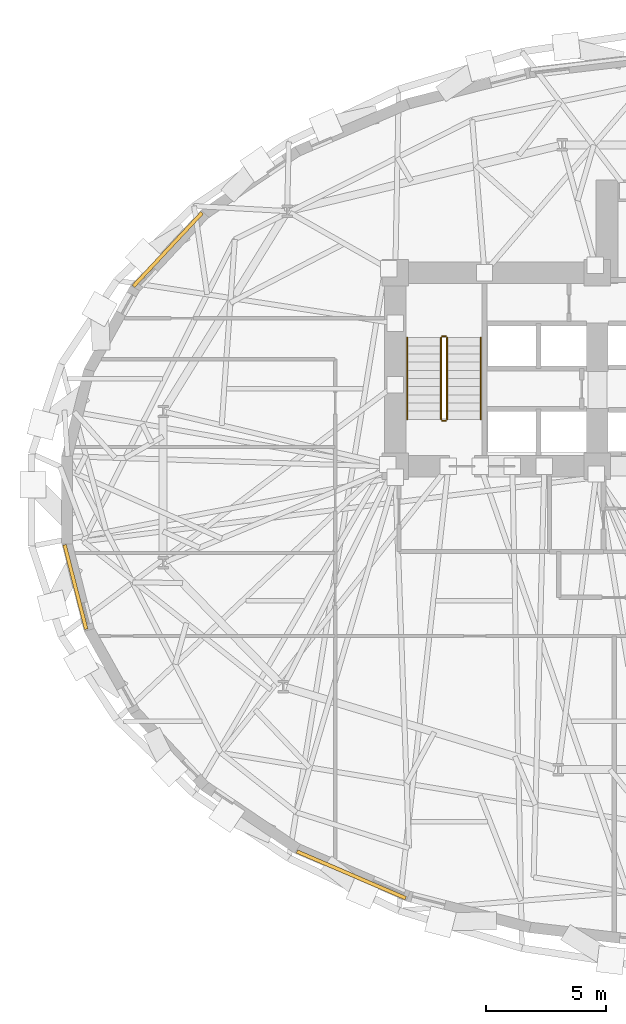
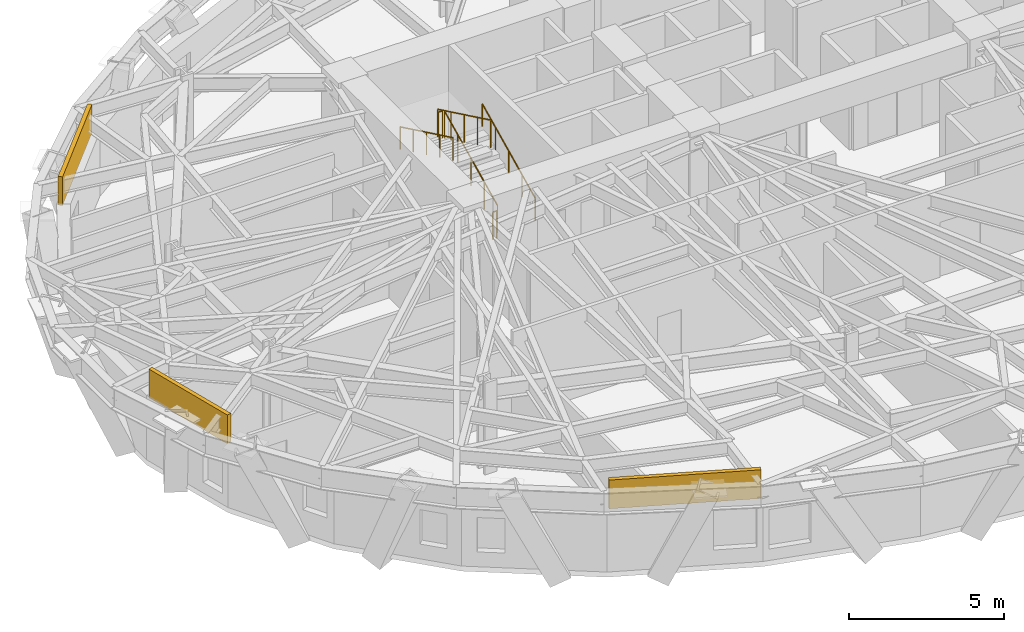
# One storey, part 11 of 14: 6 railings, 3 coverings.
"""IFC4 building model written with IfcOpenShell, lengths in metres."""

import ifcopenshell
import ifcopenshell.guid

model = None  # the IFC model being written
_history = None  # IfcOwnerHistory: only IFC2X3 demands one
_inside = {}  # id of a spatial element -> (the spatial element, [elements in it])
_under = {}  # id of a project, library or spatial element -> (it, [spatial elements below it])
_declared = {}  # id of a project -> (the project, [libraries it declares])
_typed = {}  # id of a type object -> (the type object, [elements of that type])
_made_of = {}  # id of a material, layer set ... -> (it, [elements and type objects made of it])


def new_model(schema):
    """Start an empty IFC model of exactly this schema.

    Asked for "IFC4X3", IfcOpenShell would pick the latest addendum, in which some entities
    have other attributes; the version numbers below select the first issue.
    IFC2X3 requires an IfcOwnerHistory on every rooted entity: one is made here for all.
    """
    global model, _history
    if schema == "IFC4X3":
        model = ifcopenshell.file(schema_version=(4, 3, 0, 0))
    else:
        model = ifcopenshell.file(schema=schema)
    _inside.clear()
    _under.clear()
    _declared.clear()
    _typed.clear()
    _made_of.clear()
    _history = None
    if model.schema == "IFC2X3":
        org = make("IfcOrganization", Name="unknown")
        user = make(
            "IfcPersonAndOrganization",
            ThePerson=make("IfcPerson", FamilyName="unknown"),
            TheOrganization=org,
        )
        app = make(
            "IfcApplication",
            ApplicationDeveloper=org,
            Version="unknown",
            ApplicationFullName="unknown",
            ApplicationIdentifier="unknown",
        )
        _history = make(
            "IfcOwnerHistory",
            OwningUser=user,
            OwningApplication=app,
            ChangeAction="ADDED",
            CreationDate=0,
        )
    return model


def make(cls, **values):
    """One entity of the class cls with the attributes given. An attribute that is None is left unset."""
    return model.create_entity(
        cls, **{name: value for name, value in values.items() if value is not None}
    )


def rooted(cls, **values):
    """An entity with a GlobalId (a new one), such as an element, a storey or a relation."""
    return make(cls, GlobalId=ifcopenshell.guid.new(), OwnerHistory=_history, **values)


def si_unit(unit_type, name, prefix=None):
    """IfcSIUnit, for example si_unit("LENGTHUNIT", "METRE", prefix="MILLI")."""
    return make("IfcSIUnit", UnitType=unit_type, Prefix=prefix, Name=name)


def assignment(units):
    """IfcUnitAssignment: the units of a project."""
    return None if units is None else make("IfcUnitAssignment", Units=units)


def point(xyz):
    """IfcCartesianPoint."""
    return None if xyz is None else make("IfcCartesianPoint", Coordinates=xyz)


def direction(xyz):
    """IfcDirection."""
    return None if xyz is None else make("IfcDirection", DirectionRatios=xyz)


def frame(location, z_axis=None, x_axis=None):
    """IfcAxis2Placement3D, a coordinate frame: its origin and axes. An axis left out is left unset."""
    return make(
        "IfcAxis2Placement3D",
        Location=point(location),
        Axis=direction(z_axis),
        RefDirection=direction(x_axis),
    )


def frame_2d(location, x_axis=None):
    """IfcAxis2Placement2D, a coordinate frame in the plane: its origin and x axis."""
    return make(
        "IfcAxis2Placement2D", Location=point(location), RefDirection=direction(x_axis)
    )


def origin():
    """The frame at (0, 0, 0) with its axes left unset."""
    return frame((0.0, 0.0, 0.0))


def origin_2d():
    """The frame at (0, 0) in the plane with its x axis left unset."""
    return frame_2d((0.0, 0.0))


def place(relative_to, where):
    """IfcLocalPlacement: puts the frame where relative to a parent placement (None: the world)."""
    return make(
        "IfcLocalPlacement", PlacementRelTo=relative_to, RelativePlacement=where
    )


def context(
    kind, dimensions, precision=None, world=None, true_north=None, identifier=None
):
    """IfcGeometricRepresentationContext, for example the 3D "Model" context."""
    return make(
        "IfcGeometricRepresentationContext",
        ContextIdentifier=identifier,
        ContextType=kind,
        CoordinateSpaceDimension=dimensions,
        Precision=precision,
        WorldCoordinateSystem=world,
        TrueNorth=true_north,
    )


def subcontext(parent, identifier, kind, view, scale=None):
    """IfcGeometricRepresentationSubContext, for example "Body" below "Model"."""
    return make(
        "IfcGeometricRepresentationSubContext",
        ContextIdentifier=identifier,
        ContextType=kind,
        ParentContext=parent,
        TargetScale=scale,
        TargetView=view,
    )


def project(units=None, contexts=None):
    """IfcProject with its units and contexts."""
    return rooted(
        "IfcProject",
        Name="project",
        RepresentationContexts=contexts,
        UnitsInContext=assignment(units),
    )


def spatial(cls, under=None, at=None, **own):
    """A site, building, storey or space (cls), placed at a placement, below another one or the project."""
    s = rooted(cls, ObjectPlacement=at, **own)
    if under is not None:
        _under.setdefault(under.id(), (under, []))[1].append(s)
    return s


def profile(cls, at=None, kind="AREA", **sizes):
    """A parametric profile (cls). Its sizes go by their IFC names, for example OverallWidth=200.0."""
    return make(cls, ProfileType=kind, Position=at, **sizes)


def rectangle(**sizes):
    """IfcRectangleProfileDef."""
    return profile("IfcRectangleProfileDef", **sizes)


def circle(**sizes):
    """IfcCircleProfileDef."""
    return profile("IfcCircleProfileDef", **sizes)


def extrude(swept, where, along, depth):
    """IfcExtrudedAreaSolid: the profile swept, set in the frame where, extruded along a direction by depth."""
    return make(
        "IfcExtrudedAreaSolid",
        SweptArea=swept,
        Position=where,
        ExtrudedDirection=direction(along),
        Depth=depth,
    )


def shape(context_of_items, identifier, shape_type, items):
    """IfcShapeRepresentation: the items that make up one representation, for example the "Body"."""
    return make(
        "IfcShapeRepresentation",
        ContextOfItems=context_of_items,
        RepresentationIdentifier=identifier,
        RepresentationType=shape_type,
        Items=items,
    )


def material(Name=None, Category=None):
    """IfcMaterial."""
    return make("IfcMaterial", Name=Name, Category=Category)


def layer(
    of_material, thickness, ventilated=None, Name=None, Category=None, Priority=None
):
    """IfcMaterialLayer: one layer of a wall or slab, of a material (None: an air gap)."""
    return make(
        "IfcMaterialLayer",
        Material=of_material,
        LayerThickness=thickness,
        IsVentilated=ventilated,
        Name=Name,
        Category=Category,
        Priority=Priority,
    )


def layer_set(layers, Name=None):
    """IfcMaterialLayerSet."""
    return make("IfcMaterialLayerSet", MaterialLayers=layers, LayerSetName=Name)


def made_of(thing, what):
    """Note that an element or type object is made of a material, layer set ...; save() writes the relation."""
    if what is not None:
        _made_of.setdefault(what.id(), (what, []))[1].append(thing)
    return thing


def type_object(cls, material=None, **own):
    """A type object (cls), such as IfcWallType, which elements share."""
    return made_of(rooted(cls, **own), material)


def element(
    cls,
    number,
    at=None,
    inside=None,
    cuts=None,
    type_object=None,
    material=None,
    context=None,
    identifier="Body",
    shape_type=None,
    held_by="IfcProductDefinitionShape",
    body=None,
    shapes=None,
    **own,
):
    """One element of the class cls, such as IfcWall. Its Tag is "e" and its number.

    at: its placement. inside: the storey or other place that contains it. cuts: it is an
    opening in that element (IfcRelVoidsElement). A single representation is given by context,
    identifier, shape_type and body (its items); several are given by shapes. held_by: the class
    of the entity that holds the representations. save() writes the other relations.
    """
    e = rooted(cls, Tag="e%d" % number, ObjectPlacement=at, **own)
    if body is not None:
        shapes = [shape(context, identifier, shape_type, body)]
    if shapes is not None:
        e.Representation = make(held_by, Representations=shapes)
    if inside is not None:
        _inside.setdefault(inside.id(), (inside, []))[1].append(e)
    if cuts is not None:
        rooted(
            "IfcRelVoidsElement", RelatingBuildingElement=cuts, RelatedOpeningElement=e
        )
    if type_object is not None:
        _typed.setdefault(type_object.id(), (type_object, []))[1].append(e)
    return made_of(e, material)


def aggregate(whole, parts):
    """IfcRelAggregates: a whole, such as a stair, and the parts it consists of."""
    return rooted("IfcRelAggregates", RelatingObject=whole, RelatedObjects=parts)


def save(model, path):
    """Write the relations noted so far, then the file.

    IfcRelAggregates (storeys below a building ...), IfcRelContainedInSpatialStructure (elements
    in a storey), IfcRelDefinesByType, IfcRelAssociatesMaterial and IfcRelDeclares: one each for
    every whole, place, type object, material and project.
    """
    for whole, parts in _under.values():
        aggregate(whole, parts)
    for where, things in _inside.values():
        rooted(
            "IfcRelContainedInSpatialStructure",
            RelatedElements=things,
            RelatingStructure=where,
        )
    for kind, things in _typed.values():
        rooted("IfcRelDefinesByType", RelatedObjects=things, RelatingType=kind)
    for what, things in _made_of.values():
        rooted("IfcRelAssociatesMaterial", RelatedObjects=things, RelatingMaterial=what)
    for by, libraries in _declared.values():
        rooted("IfcRelDeclares", RelatingContext=by, RelatedDefinitions=libraries)
    model.write(path)


model = new_model("IFC4")

# Units and contexts
model_context = context("Model", 3, precision=1e-05, world=origin(), true_north=direction((0.0, 1.0)))
body_context = subcontext(model_context, "Body", "Model", "MODEL_VIEW")
ifc_project = project(units=[si_unit("LENGTHUNIT", "METRE"), si_unit("AREAUNIT", "SQUARE_METRE"), si_unit("VOLUMEUNIT", "CUBIC_METRE"), si_unit("PLANEANGLEUNIT", "RADIAN"), si_unit("MASSUNIT", "GRAM", prefix="KILO")], contexts=[model_context])

# Site, building, storey
site_placement = place(None, origin())
site = spatial("IfcSite", under=ifc_project, at=site_placement, CompositionType="ELEMENT")
building_placement = place(site_placement, origin())
building = spatial("IfcBuilding", under=site, at=building_placement, Name="Keldmark Tower", CompositionType="ELEMENT")
storey_placement = place(building_placement, frame((0.0, 0.0, 52.199951171875)))
storey = spatial("IfcBuildingStorey", under=building, at=storey_placement, Name="L13", CompositionType="ELEMENT", Elevation=52.199951171875)

# Coverings
ifc_material_1 = material(Name="Honed Kasota Buff Dolomitic Limestone", Category="masonry")
ifc_layer = layer(ifc_material_1, 0.074951171875)
ifc_layer_set = layer_set([ifc_layer], Name="Honed Kasota Buff Dolomitic Limestone")
covering_type = type_object("IfcCoveringType", Name="Kasota Buff Limestone Spandrel Cladding Band", PredefinedType="CLADDING", material=ifc_layer_set)
covering_1_placement = place(storey_placement, frame((-23.060302734375, 10.407470703125, 2.453125), z_axis=(0.0, 0.0, 1.0), x_axis=(-0.683006109341, -0.730412660489, 0.0)))
element("IfcCovering", 1, at=covering_1_placement, inside=storey, type_object=covering_type, Name="L13 Kasota Limestone Spandrel Band 13", PredefinedType="CLADDING", context=body_context, shape_type="SweptSolid", body=[
    extrude(rectangle(XDim=4.177978515625, YDim=0.14990234375, at=origin_2d()), origin(), (0.0, 0.0, 1.0), 1.126953125),
])
covering_2_placement = place(storey_placement, frame((-26.8955078125, -3.61669921875, 2.453125), z_axis=(0.0, 0.0, 1.0), x_axis=(0.248098167018, -0.96873489641, 0.0)))
element("IfcCovering", 2, at=covering_2_placement, inside=storey, type_object=covering_type, Name="L13 Kasota Limestone Spandrel Band 17", PredefinedType="CLADDING", context=body_context, shape_type="SweptSolid", body=[
    extrude(rectangle(XDim=3.618896484375, YDim=0.14990234375, at=origin_2d()), origin(), (0.0, 0.0, 1.0), 1.126953125),
])
covering_3_placement = place(storey_placement, frame((-15.426513671875, -15.5791015625, 2.453125), z_axis=(0.0, 0.0, 1.0), x_axis=(0.91888763684, -0.394519341558, 0.0)))
element("IfcCovering", 3, at=covering_3_placement, inside=storey, type_object=covering_type, Name="L13 Kasota Limestone Spandrel Band 21", PredefinedType="CLADDING", context=body_context, shape_type="SweptSolid", body=[
    extrude(rectangle(XDim=4.922119140625, YDim=0.14990234375, at=origin_2d()), origin(), (0.0, 0.0, 1.0), 1.126953125),
])

# Railings
ifc_material_2 = material(Name="Painted Steel ASTM A500 Grade B", Category="steel")
railing_type_1 = type_object("IfcRailingType", Name="Painted Steel Stair Well Guard 1100 mm", PredefinedType="GUARDRAIL", material=ifc_material_2)
railing_1_placement = place(storey_placement, frame((-11.449951171875, 3.35009765625, 0.16357421875)))
element("IfcRailing", 4, at=railing_1_placement, inside=storey, type_object=railing_type_1, Name="L13 ST1 stair guard 1", PredefinedType="GUARDRAIL", context=body_context, shape_type="SweptSolid", body=[
    extrude(circle(Radius=0.02392578125, at=origin_2d()), frame((0.0, 0.0, 1.076171875), z_axis=(0.0, 0.901055053782, 0.433704726806), x_axis=(-1.0, 0.0, 0.0)), (0.0, 0.0, 1.0), 3.773193359375),
    extrude(circle(Radius=0.02099609375, at=origin_2d()), origin(), (0.0, 0.0, 1.0), 1.052001953125),
    extrude(circle(Radius=0.02099609375, at=origin_2d()), frame((0.0, 0.85009765625, 0.4091796875)), (0.0, 0.0, 1.0), 1.052001953125),
    extrude(circle(Radius=0.02099609375, at=origin_2d()), frame((0.0, 1.699951171875, 0.818359375)), (0.0, 0.0, 1.0), 1.052001953125),
    extrude(circle(Radius=0.02099609375, at=origin_2d()), frame((0.0, 2.5498046875, 1.227294921875)), (0.0, 0.0, 1.0), 1.052001953125),
    extrude(circle(Radius=0.02099609375, at=origin_2d()), frame((0.0, 3.39990234375, 1.636474609375)), (0.0, 0.0, 1.0), 1.052001953125),
])
railing_2_placement = place(storey_placement, frame((-11.5, 6.800048828125, 1.800048828125)))
element("IfcRailing", 5, at=railing_2_placement, inside=storey, type_object=railing_type_1, Name="L13 ST1 stair guard 2", PredefinedType="GUARDRAIL", context=body_context, shape_type="SweptSolid", body=[
    extrude(circle(Radius=0.02392578125, at=origin_2d()), frame((0.0, 0.0, 1.076171875), z_axis=(-1.0, 0.0, 0.0), x_axis=(0.0, -1.0, 0.0)), (0.0, 0.0, 1.0), 0.14990234375),
    extrude(circle(Radius=0.02099609375, at=origin_2d()), origin(), (0.0, 0.0, 1.0), 1.052001953125),
    extrude(circle(Radius=0.02099609375, at=origin_2d()), frame((-0.14990234375, 0.0, 0.0)), (0.0, 0.0, 1.0), 1.052001953125),
])
railing_3_placement = place(storey_placement, frame((-11.699951171875, 6.75, 1.963623046875)))
element("IfcRailing", 6, at=railing_3_placement, inside=storey, type_object=railing_type_1, Name="L13 ST1 stair guard 3", PredefinedType="GUARDRAIL", context=body_context, shape_type="SweptSolid", body=[
    extrude(circle(Radius=0.02392578125, at=origin_2d()), frame((0.0, 0.0, 1.076171875), z_axis=(0.0, -0.901055053782, 0.433704726806), x_axis=(1.0, 0.0, 0.0)), (0.0, 0.0, 1.0), 3.773193359375),
    extrude(circle(Radius=0.02099609375, at=origin_2d()), origin(), (0.0, 0.0, 1.0), 1.052001953125),
    extrude(circle(Radius=0.02099609375, at=origin_2d()), frame((0.0, -0.85009765625, 0.4091796875)), (0.0, 0.0, 1.0), 1.052001953125),
    extrude(circle(Radius=0.02099609375, at=origin_2d()), frame((0.0, -1.699951171875, 0.818359375)), (0.0, 0.0, 1.0), 1.052001953125),
    extrude(circle(Radius=0.02099609375, at=origin_2d()), frame((0.0, -2.5498046875, 1.227294921875)), (0.0, 0.0, 1.0), 1.052001953125),
    extrude(circle(Radius=0.02099609375, at=origin_2d()), frame((0.0, -3.39990234375, 1.636474609375)), (0.0, 0.0, 1.0), 1.052001953125),
])
railing_4_placement = place(storey_placement, frame((-11.5, 3.300048828125, 0.0)))
element("IfcRailing", 7, at=railing_4_placement, inside=storey, type_object=railing_type_1, Name="L13 ST1 stair guard 4", PredefinedType="GUARDRAIL", context=body_context, shape_type="SweptSolid", body=[
    extrude(circle(Radius=0.02392578125, at=origin_2d()), frame((0.0, 0.0, 1.076171875), z_axis=(-1.0, 0.0, 0.0), x_axis=(0.0, -1.0, 0.0)), (0.0, 0.0, 1.0), 0.14990234375),
    extrude(circle(Radius=0.02099609375, at=origin_2d()), origin(), (0.0, 0.0, 1.0), 1.052001953125),
    extrude(circle(Radius=0.02099609375, at=origin_2d()), frame((-0.14990234375, 0.0, 0.0)), (0.0, 0.0, 1.0), 1.052001953125),
])
ifc_material_3 = material(Name="Stainless Steel AISI 316L", Category="steel")
railing_type_2 = type_object("IfcRailingType", Name="Stainless Steel Stair Handrail 900 mm", PredefinedType="HANDRAIL", material=ifc_material_3)
railing_5_placement = place(storey_placement, frame((-10.050048828125, 3.35009765625, 0.16357421875)))
element("IfcRailing", 8, at=railing_5_placement, inside=storey, type_object=railing_type_2, Name="L13 ST1 stair handrail 1", PredefinedType="HANDRAIL", context=body_context, shape_type="SweptSolid", body=[
    extrude(circle(Radius=0.02392578125, at=origin_2d()), frame((0.0, 0.0, 0.8759765625), z_axis=(0.0, 0.901055053782, 0.433704726806), x_axis=(-1.0, 0.0, 0.0)), (0.0, 0.0, 1.0), 3.773193359375),
    extrude(circle(Radius=0.02099609375, at=origin_2d()), origin(), (0.0, 0.0, 1.0), 0.851806640625),
    extrude(circle(Radius=0.02099609375, at=origin_2d()), frame((0.0, 0.85009765625, 0.4091796875)), (0.0, 0.0, 1.0), 0.851806640625),
    extrude(circle(Radius=0.02099609375, at=origin_2d()), frame((0.0, 1.699951171875, 0.818359375)), (0.0, 0.0, 1.0), 0.851806640625),
    extrude(circle(Radius=0.02099609375, at=origin_2d()), frame((0.0, 2.5498046875, 1.227294921875)), (0.0, 0.0, 1.0), 0.851806640625),
    extrude(circle(Radius=0.02099609375, at=origin_2d()), frame((0.0, 3.39990234375, 1.636474609375)), (0.0, 0.0, 1.0), 0.851806640625),
])
railing_6_placement = place(storey_placement, frame((-13.10009765625, 6.75, 1.963623046875)))
element("IfcRailing", 9, at=railing_6_placement, inside=storey, type_object=railing_type_2, Name="L13 ST1 stair handrail 2", PredefinedType="HANDRAIL", context=body_context, shape_type="SweptSolid", body=[
    extrude(circle(Radius=0.02392578125, at=origin_2d()), frame((0.0, 0.0, 0.8759765625), z_axis=(0.0, -0.901055053782, 0.433704726806), x_axis=(1.0, 0.0, 0.0)), (0.0, 0.0, 1.0), 3.773193359375),
    extrude(circle(Radius=0.02099609375, at=origin_2d()), origin(), (0.0, 0.0, 1.0), 0.851806640625),
    extrude(circle(Radius=0.02099609375, at=origin_2d()), frame((0.0, -0.85009765625, 0.4091796875)), (0.0, 0.0, 1.0), 0.851806640625),
    extrude(circle(Radius=0.02099609375, at=origin_2d()), frame((0.0, -1.699951171875, 0.818359375)), (0.0, 0.0, 1.0), 0.851806640625),
    extrude(circle(Radius=0.02099609375, at=origin_2d()), frame((0.0, -2.5498046875, 1.227294921875)), (0.0, 0.0, 1.0), 0.851806640625),
    extrude(circle(Radius=0.02099609375, at=origin_2d()), frame((0.0, -3.39990234375, 1.636474609375)), (0.0, 0.0, 1.0), 0.851806640625),
])

save(model, "model.ifc")
